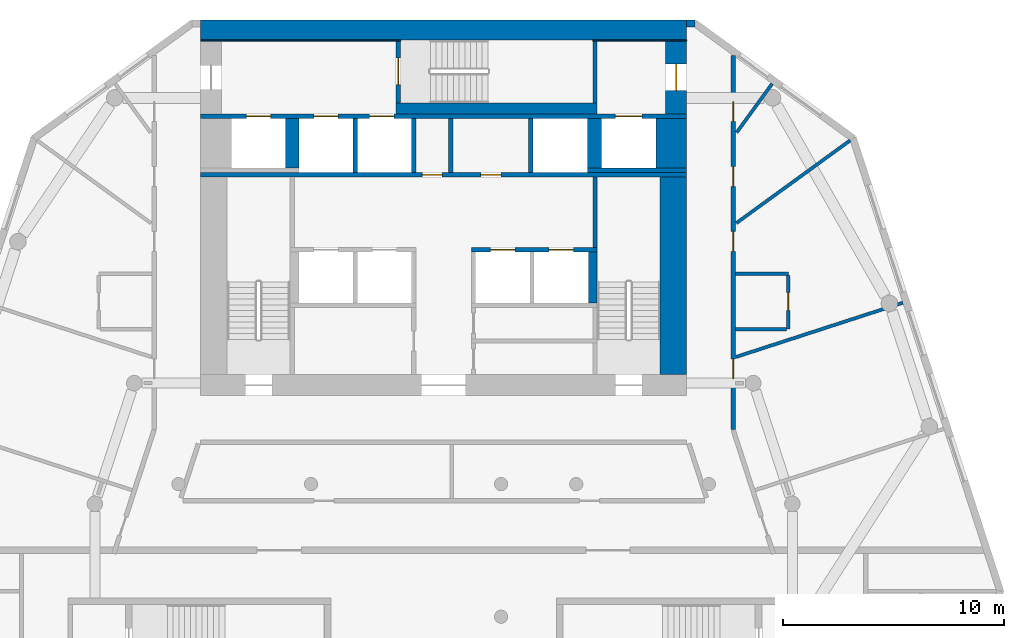
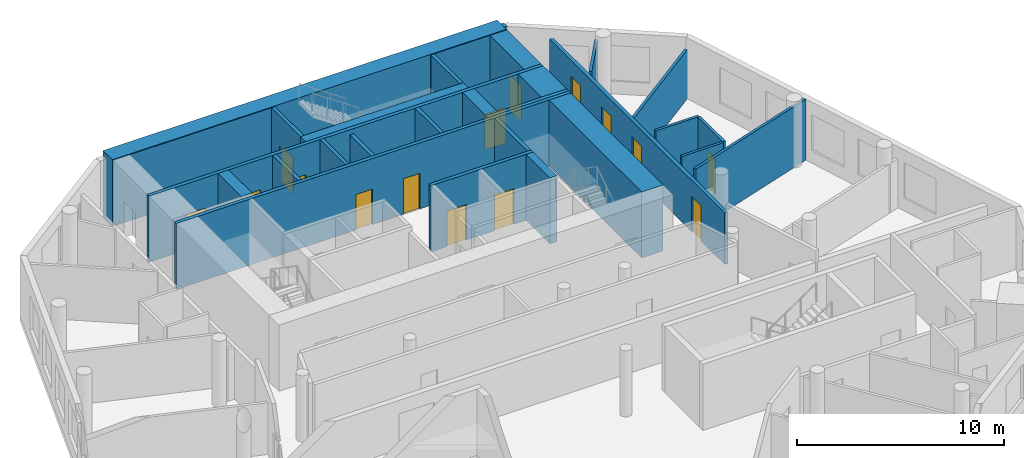
# One storey, part 6 of 9: 29 walls, 15 doors, 15 openings.
"""IFC4 building model written with IfcOpenShell, lengths in metres."""

import ifcopenshell
import ifcopenshell.guid

model = None  # the IFC model being written
_history = None  # IfcOwnerHistory: only IFC2X3 demands one
_inside = {}  # id of a spatial element -> (the spatial element, [elements in it])
_under = {}  # id of a project, library or spatial element -> (it, [spatial elements below it])
_declared = {}  # id of a project -> (the project, [libraries it declares])
_typed = {}  # id of a type object -> (the type object, [elements of that type])
_made_of = {}  # id of a material, layer set ... -> (it, [elements and type objects made of it])


def new_model(schema):
    """Start an empty IFC model of exactly this schema.

    Asked for "IFC4X3", IfcOpenShell would pick the latest addendum, in which some entities
    have other attributes; the version numbers below select the first issue.
    IFC2X3 requires an IfcOwnerHistory on every rooted entity: one is made here for all.
    """
    global model, _history
    if schema == "IFC4X3":
        model = ifcopenshell.file(schema_version=(4, 3, 0, 0))
    else:
        model = ifcopenshell.file(schema=schema)
    _inside.clear()
    _under.clear()
    _declared.clear()
    _typed.clear()
    _made_of.clear()
    _history = None
    if model.schema == "IFC2X3":
        org = make("IfcOrganization", Name="unknown")
        user = make(
            "IfcPersonAndOrganization",
            ThePerson=make("IfcPerson", FamilyName="unknown"),
            TheOrganization=org,
        )
        app = make(
            "IfcApplication",
            ApplicationDeveloper=org,
            Version="unknown",
            ApplicationFullName="unknown",
            ApplicationIdentifier="unknown",
        )
        _history = make(
            "IfcOwnerHistory",
            OwningUser=user,
            OwningApplication=app,
            ChangeAction="ADDED",
            CreationDate=0,
        )
    return model


def make(cls, **values):
    """One entity of the class cls with the attributes given. An attribute that is None is left unset."""
    return model.create_entity(
        cls, **{name: value for name, value in values.items() if value is not None}
    )


def rooted(cls, **values):
    """An entity with a GlobalId (a new one), such as an element, a storey or a relation."""
    return make(cls, GlobalId=ifcopenshell.guid.new(), OwnerHistory=_history, **values)


def si_unit(unit_type, name, prefix=None):
    """IfcSIUnit, for example si_unit("LENGTHUNIT", "METRE", prefix="MILLI")."""
    return make("IfcSIUnit", UnitType=unit_type, Prefix=prefix, Name=name)


def assignment(units):
    """IfcUnitAssignment: the units of a project."""
    return None if units is None else make("IfcUnitAssignment", Units=units)


def point(xyz):
    """IfcCartesianPoint."""
    return None if xyz is None else make("IfcCartesianPoint", Coordinates=xyz)


def direction(xyz):
    """IfcDirection."""
    return None if xyz is None else make("IfcDirection", DirectionRatios=xyz)


def frame(location, z_axis=None, x_axis=None):
    """IfcAxis2Placement3D, a coordinate frame: its origin and axes. An axis left out is left unset."""
    return make(
        "IfcAxis2Placement3D",
        Location=point(location),
        Axis=direction(z_axis),
        RefDirection=direction(x_axis),
    )


def frame_2d(location, x_axis=None):
    """IfcAxis2Placement2D, a coordinate frame in the plane: its origin and x axis."""
    return make(
        "IfcAxis2Placement2D", Location=point(location), RefDirection=direction(x_axis)
    )


def origin():
    """The frame at (0, 0, 0) with its axes left unset."""
    return frame((0.0, 0.0, 0.0))


def place(relative_to, where):
    """IfcLocalPlacement: puts the frame where relative to a parent placement (None: the world)."""
    return make(
        "IfcLocalPlacement", PlacementRelTo=relative_to, RelativePlacement=where
    )


def context(
    kind, dimensions, precision=None, world=None, true_north=None, identifier=None
):
    """IfcGeometricRepresentationContext, for example the 3D "Model" context."""
    return make(
        "IfcGeometricRepresentationContext",
        ContextIdentifier=identifier,
        ContextType=kind,
        CoordinateSpaceDimension=dimensions,
        Precision=precision,
        WorldCoordinateSystem=world,
        TrueNorth=true_north,
    )


def subcontext(parent, identifier, kind, view, scale=None):
    """IfcGeometricRepresentationSubContext, for example "Body" below "Model"."""
    return make(
        "IfcGeometricRepresentationSubContext",
        ContextIdentifier=identifier,
        ContextType=kind,
        ParentContext=parent,
        TargetScale=scale,
        TargetView=view,
    )


def project(units=None, contexts=None):
    """IfcProject with its units and contexts."""
    return rooted(
        "IfcProject",
        Name="project",
        RepresentationContexts=contexts,
        UnitsInContext=assignment(units),
    )


def spatial(cls, under=None, at=None, **own):
    """A site, building, storey or space (cls), placed at a placement, below another one or the project."""
    s = rooted(cls, ObjectPlacement=at, **own)
    if under is not None:
        _under.setdefault(under.id(), (under, []))[1].append(s)
    return s


def profile(cls, at=None, kind="AREA", **sizes):
    """A parametric profile (cls). Its sizes go by their IFC names, for example OverallWidth=200.0."""
    return make(cls, ProfileType=kind, Position=at, **sizes)


def rectangle(**sizes):
    """IfcRectangleProfileDef."""
    return profile("IfcRectangleProfileDef", **sizes)


def extrude(swept, where, along, depth):
    """IfcExtrudedAreaSolid: the profile swept, set in the frame where, extruded along a direction by depth."""
    return make(
        "IfcExtrudedAreaSolid",
        SweptArea=swept,
        Position=where,
        ExtrudedDirection=direction(along),
        Depth=depth,
    )


def shape(context_of_items, identifier, shape_type, items):
    """IfcShapeRepresentation: the items that make up one representation, for example the "Body"."""
    return make(
        "IfcShapeRepresentation",
        ContextOfItems=context_of_items,
        RepresentationIdentifier=identifier,
        RepresentationType=shape_type,
        Items=items,
    )


def material(Name=None, Category=None):
    """IfcMaterial."""
    return make("IfcMaterial", Name=Name, Category=Category)


def layer(
    of_material, thickness, ventilated=None, Name=None, Category=None, Priority=None
):
    """IfcMaterialLayer: one layer of a wall or slab, of a material (None: an air gap)."""
    return make(
        "IfcMaterialLayer",
        Material=of_material,
        LayerThickness=thickness,
        IsVentilated=ventilated,
        Name=Name,
        Category=Category,
        Priority=Priority,
    )


def layer_set(layers, Name=None):
    """IfcMaterialLayerSet."""
    return make("IfcMaterialLayerSet", MaterialLayers=layers, LayerSetName=Name)


def made_of(thing, what):
    """Note that an element or type object is made of a material, layer set ...; save() writes the relation."""
    if what is not None:
        _made_of.setdefault(what.id(), (what, []))[1].append(thing)
    return thing


def type_object(cls, material=None, **own):
    """A type object (cls), such as IfcWallType, which elements share."""
    return made_of(rooted(cls, **own), material)


def element(
    cls,
    number,
    at=None,
    inside=None,
    cuts=None,
    type_object=None,
    material=None,
    context=None,
    identifier="Body",
    shape_type=None,
    held_by="IfcProductDefinitionShape",
    body=None,
    shapes=None,
    **own,
):
    """One element of the class cls, such as IfcWall. Its Tag is "e" and its number.

    at: its placement. inside: the storey or other place that contains it. cuts: it is an
    opening in that element (IfcRelVoidsElement). A single representation is given by context,
    identifier, shape_type and body (its items); several are given by shapes. held_by: the class
    of the entity that holds the representations. save() writes the other relations.
    """
    e = rooted(cls, Tag="e%d" % number, ObjectPlacement=at, **own)
    if body is not None:
        shapes = [shape(context, identifier, shape_type, body)]
    if shapes is not None:
        e.Representation = make(held_by, Representations=shapes)
    if inside is not None:
        _inside.setdefault(inside.id(), (inside, []))[1].append(e)
    if cuts is not None:
        rooted(
            "IfcRelVoidsElement", RelatingBuildingElement=cuts, RelatedOpeningElement=e
        )
    if type_object is not None:
        _typed.setdefault(type_object.id(), (type_object, []))[1].append(e)
    return made_of(e, material)


def fill(opening, filler):
    """IfcRelFillsElement: the door or window that sits in an opening."""
    return rooted(
        "IfcRelFillsElement",
        RelatingOpeningElement=opening,
        RelatedBuildingElement=filler,
    )


def aggregate(whole, parts):
    """IfcRelAggregates: a whole, such as a stair, and the parts it consists of."""
    return rooted("IfcRelAggregates", RelatingObject=whole, RelatedObjects=parts)


def save(model, path):
    """Write the relations noted so far, then the file.

    IfcRelAggregates (storeys below a building ...), IfcRelContainedInSpatialStructure (elements
    in a storey), IfcRelDefinesByType, IfcRelAssociatesMaterial and IfcRelDeclares: one each for
    every whole, place, type object, material and project.
    """
    for whole, parts in _under.values():
        aggregate(whole, parts)
    for where, things in _inside.values():
        rooted(
            "IfcRelContainedInSpatialStructure",
            RelatedElements=things,
            RelatingStructure=where,
        )
    for kind, things in _typed.values():
        rooted("IfcRelDefinesByType", RelatedObjects=things, RelatingType=kind)
    for what, things in _made_of.values():
        rooted("IfcRelAssociatesMaterial", RelatedObjects=things, RelatingMaterial=what)
    for by, libraries in _declared.values():
        rooted("IfcRelDeclares", RelatingContext=by, RelatedDefinitions=libraries)
    model.write(path)


model = new_model("IFC4")

# Units and contexts
model_context = context("Model", 3, precision=1e-05, world=origin(), true_north=direction((0.0, 1.0)))
body_context = subcontext(model_context, "Body", "Model", "MODEL_VIEW")
ifc_project = project(units=[si_unit("LENGTHUNIT", "METRE"), si_unit("AREAUNIT", "SQUARE_METRE"), si_unit("VOLUMEUNIT", "CUBIC_METRE"), si_unit("PLANEANGLEUNIT", "RADIAN"), si_unit("MASSUNIT", "GRAM", prefix="KILO")], contexts=[model_context])

# Site, building, storey
site_placement = place(None, origin())
site = spatial("IfcSite", under=ifc_project, at=site_placement, CompositionType="ELEMENT")
building_placement = place(site_placement, origin())
building = spatial("IfcBuilding", under=site, at=building_placement, Name="White Candle Pilgrim Tower", CompositionType="ELEMENT")
storey_placement = place(building_placement, frame((0.0, 0.0, 164.199951171875)))
storey = spatial("IfcBuildingStorey", under=building, at=storey_placement, Name="L37", CompositionType="ELEMENT", Elevation=164.199951171875)

# Walls
ifc_material_1 = material(Name="Concrete C60/75", Category="concrete")
ifc_layer_1 = layer(ifc_material_1, 1.39990234375)
ifc_layer_set_1 = layer_set([ifc_layer_1], Name="Core wall 1400 mm Concrete C60/75")
wall_type_1 = type_object("IfcWallType", Name="Core wall 1400 mm Concrete C60/75", PredefinedType="SHEAR", material=ifc_layer_set_1)
wall_1_placement = place(storey_placement, frame((80.300048828125, 81.300048828125, 0.0), z_axis=(0.0, 0.0, 1.0), x_axis=(0.0, 1.0, 0.0)))
element("IfcWall", 1, at=wall_1_placement, inside=storey, type_object=wall_type_1, Name="WL-L37-C43", PredefinedType="SHEAR", context=body_context, shape_type="SweptSolid", body=[
    extrude(rectangle(XDim=2.25, YDim=1.39990234375, at=frame_2d((1.125, 0.0))), origin(), (0.0, 0.0, 1.0), 3.900146484375),
])
ifc_layer_2 = layer(ifc_material_1, 0.199951171875)
ifc_layer_set_2 = layer_set([ifc_layer_2], Name="Core wall 200 mm Concrete C60/75")
wall_type_2 = type_object("IfcWallType", Name="Core wall 200 mm Concrete C60/75", PredefinedType="SHEAR", material=ifc_layer_set_2)
wall_2_placement = place(storey_placement, frame((76.5, 81.199951171875, 0.0), z_axis=(0.0, 0.0, 1.0), x_axis=(1.0, 0.0, 0.0)))
element("IfcWall", 2, at=wall_2_placement, inside=storey, type_object=wall_type_2, Name="WL-L37-C39", PredefinedType="SHEAR", context=body_context, shape_type="SweptSolid", body=[
    extrude(rectangle(XDim=4.5, YDim=0.199951171875, at=frame_2d((2.25, 0.0))), origin(), (0.0, 0.0, 1.0), 3.900146484375),
])

# Wall, openings, doors
wall_3_placement = place(storey_placement, frame((59.0, 83.64990234375, 0.0), z_axis=(0.0, 0.0, 1.0), x_axis=(1.0, 0.0, 0.0)))
wall_3 = element("IfcWall", 3, at=wall_3_placement, inside=storey, type_object=wall_type_2, Name="WL-L37-C44", PredefinedType="SHEAR", context=body_context, shape_type="SweptSolid", body=[
    extrude(rectangle(XDim=22.0, YDim=0.199951171875, at=frame_2d((11.0, 0.0))), origin(), (0.0, 0.0, 1.0), 3.900146484375),
])
opening_1_placement = place(wall_3_placement, frame((5.125, 0.0, 0.0)))
opening_1 = element("IfcOpeningElement", 4, at=opening_1_placement, cuts=wall_3, Name="Opening T11-018", PredefinedType="OPENING", context=body_context, shape_type="SweptSolid", body=[
    extrude(rectangle(XDim=1.10009765625, YDim=2.10009765625, at=frame_2d((0.550048828125, 1.050048828125))), frame((0.0, 0.10986328125, 0.0), z_axis=(0.0, -1.0, 0.0), x_axis=(1.0, 0.0, 0.0)), (0.0, 0.0, 1.0), 0.219970703125),
])
opening_2_placement = place(wall_3_placement, frame((7.64990234375, 0.0, 0.0)))
opening_2 = element("IfcOpeningElement", 5, at=opening_2_placement, cuts=wall_3, Name="Opening T11-019", PredefinedType="OPENING", context=body_context, shape_type="SweptSolid", body=[
    extrude(rectangle(XDim=1.10009765625, YDim=2.10009765625, at=frame_2d((0.550048828125, 1.050048828125))), frame((0.0, 0.10986328125, 0.0), z_axis=(0.0, -1.0, 0.0), x_axis=(1.0, 0.0, 0.0)), (0.0, 0.0, 1.0), 0.219970703125),
])
opening_3_placement = place(wall_3_placement, frame((18.77490234375, 0.0, 0.0)))
opening_3 = element("IfcOpeningElement", 6, at=opening_3_placement, cuts=wall_3, Name="Opening T11-020", PredefinedType="OPENING", context=body_context, shape_type="SweptSolid", body=[
    extrude(rectangle(XDim=1.199951171875, YDim=2.10009765625, at=frame_2d((0.60009765625, 1.050048828125))), frame((0.0, 0.10986328125, 0.0), z_axis=(0.0, -1.0, 0.0), x_axis=(1.0, 0.0, 0.0)), (0.0, 0.0, 1.0), 0.219970703125),
])
opening_4_placement = place(wall_3_placement, frame((2.074951171875, 0.0, 0.0)))
opening_4 = element("IfcOpeningElement", 7, at=opening_4_placement, cuts=wall_3, Name="Opening T11-021", PredefinedType="OPENING", context=body_context, shape_type="SweptSolid", body=[
    extrude(rectangle(XDim=1.10009765625, YDim=2.10009765625, at=frame_2d((0.550048828125, 1.050048828125))), frame((0.0, 0.10986328125, 0.0), z_axis=(0.0, -1.0, 0.0), x_axis=(1.0, 0.0, 0.0)), (0.0, 0.0, 1.0), 0.219970703125),
])
ifc_material_2 = material(Name="Stainless steel", Category="steel")
door_type_1 = type_object("IfcDoorType", Name="Lift landing door 1100 x 2100 EI 60", OperationType="DOUBLE_DOOR_SLIDING", PredefinedType="DOOR", material=ifc_material_2)
door_1_placement = place(opening_1_placement, origin())
door_1 = element("IfcDoor", 8, at=door_1_placement, inside=storey, type_object=door_type_1, Name="Door T11-018", OperationType="DOUBLE_DOOR_SLIDING", OverallHeight=2.10009765625, OverallWidth=1.10009765625, PredefinedType="DOOR", context=body_context, shape_type="SweptSolid", body=[
    extrude(rectangle(XDim=1.10009765625, YDim=2.10009765625, at=frame_2d((0.550048828125, 1.050048828125))), frame((0.0, 0.02490234375, 0.0), z_axis=(0.0, -1.0, 0.0), x_axis=(1.0, 0.0, 0.0)), (0.0, 0.0, 1.0), 0.050048828125),
])
fill(opening_1, door_1)
door_2_placement = place(opening_2_placement, origin())
door_2 = element("IfcDoor", 9, at=door_2_placement, inside=storey, type_object=door_type_1, Name="Door T11-019", OperationType="DOUBLE_DOOR_SLIDING", OverallHeight=2.10009765625, OverallWidth=1.10009765625, PredefinedType="DOOR", context=body_context, shape_type="SweptSolid", body=[
    extrude(rectangle(XDim=1.10009765625, YDim=2.10009765625, at=frame_2d((0.550048828125, 1.050048828125))), frame((0.0, 0.02490234375, 0.0), z_axis=(0.0, -1.0, 0.0), x_axis=(1.0, 0.0, 0.0)), (0.0, 0.0, 1.0), 0.050048828125),
])
fill(opening_2, door_2)
door_3_placement = place(opening_4_placement, origin())
door_3 = element("IfcDoor", 10, at=door_3_placement, inside=storey, type_object=door_type_1, Name="Door T11-021", OperationType="DOUBLE_DOOR_SLIDING", OverallHeight=2.10009765625, OverallWidth=1.10009765625, PredefinedType="DOOR", context=body_context, shape_type="SweptSolid", body=[
    extrude(rectangle(XDim=1.10009765625, YDim=2.10009765625, at=frame_2d((0.550048828125, 1.050048828125))), frame((0.0, 0.02490234375, 0.0), z_axis=(0.0, -1.0, 0.0), x_axis=(1.0, 0.0, 0.0)), (0.0, 0.0, 1.0), 0.050048828125),
])
fill(opening_4, door_3)
door_type_2 = type_object("IfcDoorType", Name="Lift landing door 1200 x 2100 E 60", OperationType="DOUBLE_DOOR_SLIDING", PredefinedType="DOOR", material=ifc_material_2)
door_4_placement = place(opening_3_placement, origin())
door_4 = element("IfcDoor", 11, at=door_4_placement, inside=storey, type_object=door_type_2, Name="Door T11-020", OperationType="DOUBLE_DOOR_SLIDING", OverallHeight=2.10009765625, OverallWidth=1.199951171875, PredefinedType="DOOR", context=body_context, shape_type="SweptSolid", body=[
    extrude(rectangle(XDim=1.199951171875, YDim=2.10009765625, at=frame_2d((0.60009765625, 1.050048828125))), frame((0.0, 0.02490234375, 0.0), z_axis=(0.0, -1.0, 0.0), x_axis=(1.0, 0.0, 0.0)), (0.0, 0.0, 1.0), 0.050048828125),
])
fill(opening_3, door_4)

# Wall, opening, door
ifc_layer_3 = layer(ifc_material_1, 0.949951171875)
ifc_layer_set_3 = layer_set([ifc_layer_3], Name="Core wall 950 mm Concrete C60/75")
wall_type_3 = type_object("IfcWallType", Name="Core wall 950 mm Concrete C60/75", PredefinedType="SHEAR", material=ifc_layer_set_3)
wall_4_placement = place(storey_placement, frame((80.52490234375, 83.75, 0.0), z_axis=(0.0, 0.0, 1.0), x_axis=(0.0, 1.0, 0.0)))
wall_4 = element("IfcWall", 12, at=wall_4_placement, inside=storey, type_object=wall_type_3, Name="WL-L37-C47", PredefinedType="SHEAR", context=body_context, shape_type="SweptSolid", body=[
    extrude(rectangle(XDim=3.300048828125, YDim=0.949951171875, at=frame_2d((1.64990234375, 0.0))), origin(), (0.0, 0.0, 1.0), 3.900146484375),
])
opening_5_placement = place(wall_4_placement, frame((1.050048828125, 0.0, 0.0)))
opening_5 = element("IfcOpeningElement", 13, at=opening_5_placement, cuts=wall_4, Name="Opening T11-009", PredefinedType="OPENING", context=body_context, shape_type="SweptSolid", body=[
    extrude(rectangle(XDim=1.199951171875, YDim=2.10009765625, at=frame_2d((0.60009765625, 1.050048828125))), frame((0.0, 0.48486328125, 0.0), z_axis=(0.0, -1.0, 0.0), x_axis=(1.0, 0.0, 0.0)), (0.0, 0.0, 1.0), 0.969970703125),
])
ifc_material_3 = material(Name="Steel door leaf", Category="steel")
door_type_3 = type_object("IfcDoorType", Name="Fire door 1200 x 2100 EI 30", OperationType="NOTDEFINED", PredefinedType="DOOR", material=ifc_material_3)
door_5_placement = place(opening_5_placement, origin())
door_5 = element("IfcDoor", 14, at=door_5_placement, inside=storey, type_object=door_type_3, Name="Door T11-009", OperationType="SINGLE_SWING_LEFT", OverallHeight=2.10009765625, OverallWidth=1.199951171875, PredefinedType="DOOR", context=body_context, shape_type="SweptSolid", body=[
    extrude(rectangle(XDim=1.199951171875, YDim=2.10009765625, at=frame_2d((0.60009765625, 1.050048828125))), frame((0.0, 0.02490234375, 0.0), z_axis=(0.0, -1.0, 0.0), x_axis=(1.0, 0.0, 0.0)), (0.0, 0.0, 1.0), 0.050048828125),
])
fill(opening_5, door_5)

# Wall, openings, doors
ifc_material_4 = material(Name="Gypsum board on steel studs", Category="steel")
ifc_layer_4 = layer(ifc_material_4, 0.199951171875)
ifc_layer_set_4 = layer_set([ifc_layer_4], Name="Corridor wall 200 mm EI 45")
wall_type_4 = type_object("IfcWallType", Name="Corridor wall 200 mm EI 45", PredefinedType="PARTITIONING", material=ifc_layer_set_4)
wall_5_placement = place(storey_placement, frame((83.10009765625, 86.396240234375, 0.0), z_axis=(0.0, 0.0, 1.0), x_axis=(0.0, -1.0, 0.0)))
wall_5 = element("IfcWall", 15, at=wall_5_placement, inside=storey, type_object=wall_type_4, Name="WL-L37-P004", PredefinedType="PARTITIONING", context=body_context, shape_type="SweptSolid", body=[
    extrude(rectangle(XDim=16.92333984375, YDim=0.199951171875, at=frame_2d((8.461669921875, 0.0))), origin(), (0.0, 0.0, 1.0), 3.050048828125),
])
opening_6_placement = place(wall_5_placement, frame((2.08837890625, 0.0, 0.0)))
opening_6 = element("IfcOpeningElement", 16, at=opening_6_placement, cuts=wall_5, Name="Opening T11-129", PredefinedType="OPENING", context=body_context, shape_type="SweptSolid", body=[
    extrude(rectangle(XDim=0.89990234375, YDim=2.10009765625, at=frame_2d((0.449951171875, 1.050048828125))), frame((0.0, 0.10986328125, 0.0), z_axis=(0.0, -1.0, 0.0), x_axis=(1.0, 0.0, 0.0)), (0.0, 0.0, 1.0), 0.219970703125),
])
opening_7_placement = place(wall_5_placement, frame((5.03369140625, 0.0, 0.0)))
opening_7 = element("IfcOpeningElement", 17, at=opening_7_placement, cuts=wall_5, Name="Opening T11-130", PredefinedType="OPENING", context=body_context, shape_type="SweptSolid", body=[
    extrude(rectangle(XDim=0.89990234375, YDim=2.10009765625, at=frame_2d((0.449951171875, 1.050048828125))), frame((0.0, 0.10986328125, 0.0), z_axis=(0.0, -1.0, 0.0), x_axis=(1.0, 0.0, 0.0)), (0.0, 0.0, 1.0), 0.219970703125),
])
opening_8_placement = place(wall_5_placement, frame((7.96044921875, 0.0, 0.0)))
opening_8 = element("IfcOpeningElement", 18, at=opening_8_placement, cuts=wall_5, Name="Opening T11-131", PredefinedType="OPENING", context=body_context, shape_type="SweptSolid", body=[
    extrude(rectangle(XDim=0.89990234375, YDim=2.10009765625, at=frame_2d((0.449951171875, 1.050048828125))), frame((0.0, 0.10986328125, 0.0), z_axis=(0.0, -1.0, 0.0), x_axis=(1.0, 0.0, 0.0)), (0.0, 0.0, 1.0), 0.219970703125),
])
opening_9_placement = place(wall_5_placement, frame((13.72705078125, 0.0, 0.0)))
opening_9 = element("IfcOpeningElement", 19, at=opening_9_placement, cuts=wall_5, Name="Opening T11-132", PredefinedType="OPENING", context=body_context, shape_type="SweptSolid", body=[
    extrude(rectangle(XDim=0.89990234375, YDim=2.10009765625, at=frame_2d((0.449951171875, 1.050048828125))), frame((0.0, 0.10986328125, 0.0), z_axis=(0.0, -1.0, 0.0), x_axis=(1.0, 0.0, 0.0)), (0.0, 0.0, 1.0), 0.219970703125),
])
door_type_4 = type_object("IfcDoorType", Name="Fire door 900 x 2100 EI 30", OperationType="NOTDEFINED", PredefinedType="DOOR", material=ifc_material_3)
door_6_placement = place(opening_6_placement, origin())
door_6 = element("IfcDoor", 20, at=door_6_placement, inside=storey, type_object=door_type_4, Name="Door T11-129", OperationType="SINGLE_SWING_LEFT", OverallHeight=2.10009765625, OverallWidth=0.89990234375, PredefinedType="DOOR", context=body_context, shape_type="SweptSolid", body=[
    extrude(rectangle(XDim=0.89990234375, YDim=2.10009765625, at=frame_2d((0.449951171875, 1.050048828125))), frame((0.0, 0.02490234375, 0.0), z_axis=(0.0, -1.0, 0.0), x_axis=(1.0, 0.0, 0.0)), (0.0, 0.0, 1.0), 0.050048828125),
])
fill(opening_6, door_6)
door_7_placement = place(opening_7_placement, origin())
door_7 = element("IfcDoor", 21, at=door_7_placement, inside=storey, type_object=door_type_4, Name="Door T11-130", OperationType="SINGLE_SWING_RIGHT", OverallHeight=2.10009765625, OverallWidth=0.89990234375, PredefinedType="DOOR", context=body_context, shape_type="SweptSolid", body=[
    extrude(rectangle(XDim=0.89990234375, YDim=2.10009765625, at=frame_2d((0.449951171875, 1.050048828125))), frame((0.0, 0.02490234375, 0.0), z_axis=(0.0, -1.0, 0.0), x_axis=(1.0, 0.0, 0.0)), (0.0, 0.0, 1.0), 0.050048828125),
])
fill(opening_7, door_7)
door_8_placement = place(opening_8_placement, origin())
door_8 = element("IfcDoor", 22, at=door_8_placement, inside=storey, type_object=door_type_4, Name="Door T11-131", OperationType="SINGLE_SWING_LEFT", OverallHeight=2.10009765625, OverallWidth=0.89990234375, PredefinedType="DOOR", context=body_context, shape_type="SweptSolid", body=[
    extrude(rectangle(XDim=0.89990234375, YDim=2.10009765625, at=frame_2d((0.449951171875, 1.050048828125))), frame((0.0, 0.02490234375, 0.0), z_axis=(0.0, -1.0, 0.0), x_axis=(1.0, 0.0, 0.0)), (0.0, 0.0, 1.0), 0.050048828125),
])
fill(opening_8, door_8)
door_9_placement = place(opening_9_placement, origin())
door_9 = element("IfcDoor", 23, at=door_9_placement, inside=storey, type_object=door_type_4, Name="Door T11-132", OperationType="SINGLE_SWING_LEFT", OverallHeight=2.10009765625, OverallWidth=0.89990234375, PredefinedType="DOOR", context=body_context, shape_type="SweptSolid", body=[
    extrude(rectangle(XDim=0.89990234375, YDim=2.10009765625, at=frame_2d((0.449951171875, 1.050048828125))), frame((0.0, 0.02490234375, 0.0), z_axis=(0.0, -1.0, 0.0), x_axis=(1.0, 0.0, 0.0)), (0.0, 0.0, 1.0), 0.050048828125),
])
fill(opening_9, door_9)

# Walls
ifc_material_5 = material(Name="Precast concrete C40/50", Category="concrete")
ifc_layer_5 = layer(ifc_material_5, 0.320068359375)
ifc_layer_set_5 = layer_set([ifc_layer_5], Name="Facade wall EW1 precast concrete C40/50 pier wall with timber-lined reveals")
wall_type_5 = type_object("IfcWallType", Name="Facade wall EW1 precast concrete C40/50 pier wall with timber-lined reveals", PredefinedType="SOLIDWALL", material=ifc_layer_set_5)
wall_6_placement = place(storey_placement, frame((81.385009765625, 87.840087890625, 0.0), z_axis=(0.0, 0.0, 1.0), x_axis=(-1.0, 0.0, 0.0)))
element("IfcWall", 24, at=wall_6_placement, inside=storey, type_object=wall_type_5, Name="Facade wall L37 N", PredefinedType="SOLIDWALL", context=body_context, shape_type="SweptSolid", body=[
    extrude(rectangle(XDim=0.385009765625, YDim=0.320068359375, at=frame_2d((0.1923828125, 0.0))), origin(), (0.0, 0.0, 1.0), 3.60009765625),
])
ifc_layer_6 = layer(ifc_material_4, 0.199951171875)
ifc_layer_set_6 = layer_set([ifc_layer_6], Name="Lobby wall 200 mm EI 60")
wall_type_6 = type_object("IfcWallType", Name="Lobby wall 200 mm EI 60", PredefinedType="PARTITIONING", material=ifc_layer_set_6)
wall_7_placement = place(storey_placement, frame((70.320068359375, 81.10009765625, 0.0), z_axis=(0.0, 0.0, 1.0), x_axis=(0.0, 1.0, 0.0)))
element("IfcWall", 25, at=wall_7_placement, inside=storey, type_object=wall_type_6, Name="WL-L37-C37", PredefinedType="PARTITIONING", context=body_context, shape_type="SweptSolid", body=[
    extrude(rectangle(XDim=2.449951171875, YDim=0.199951171875, at=frame_2d((1.22509765625, 0.0))), origin(), (0.0, 0.0, 1.0), 3.60009765625),
])
ifc_layer_7 = layer(ifc_material_4, 0.14990234375)
ifc_layer_set_7 = layer_set([ifc_layer_7], Name="Partition 150 mm EI 60")
wall_type_7 = type_object("IfcWallType", Name="Partition 150 mm EI 60", PredefinedType="PARTITIONING", material=ifc_layer_set_7)
wall_8_placement = place(storey_placement, frame((88.392822265625, 82.55078125, 0.0), z_axis=(0.0, 0.0, 1.0), x_axis=(-0.809018004504, -0.587783861966, 0.0)))
element("IfcWall", 26, at=wall_8_placement, inside=storey, type_object=wall_type_7, Name="WL-L37-P024", PredefinedType="PARTITIONING", context=body_context, shape_type="SweptSolid", body=[
    extrude(rectangle(XDim=6.364013671875, YDim=0.14990234375, at=frame_2d((3.18212890625, 0.0))), origin(), (0.0, 0.0, 1.0), 2.900146484375),
])
wall_9_placement = place(storey_placement, frame((90.77880859375, 75.207763671875, 0.0), z_axis=(0.0, 0.0, 1.0), x_axis=(-0.951053036923, -0.309027702575, 0.0)))
element("IfcWall", 27, at=wall_9_placement, inside=storey, type_object=wall_type_7, Name="WL-L37-P050", PredefinedType="PARTITIONING", context=body_context, shape_type="SweptSolid", body=[
    extrude(rectangle(XDim=7.944580078125, YDim=0.14990234375, at=frame_2d((3.97216796875, 0.0))), origin(), (0.0, 0.0, 1.0), 3.60009765625),
])
wall_10_placement = place(storey_placement, frame((83.199951171875, 76.5126953125, 0.0), z_axis=(0.0, 0.0, 1.0), x_axis=(1.0, 0.0, 0.0)))
element("IfcWall", 28, at=wall_10_placement, inside=storey, type_object=wall_type_7, Name="WL-L37-P051", PredefinedType="PARTITIONING", context=body_context, shape_type="SweptSolid", body=[
    extrude(rectangle(XDim=2.400146484375, YDim=0.14990234375, at=frame_2d((1.2001953125, 0.0))), origin(), (0.0, 0.0, 1.0), 3.60009765625),
])

# Wall, opening, door
wall_11_placement = place(storey_placement, frame((85.60009765625, 74.0126953125, 0.0), z_axis=(0.0, 0.0, 1.0), x_axis=(0.0, 1.0, 0.0)))
wall_11 = element("IfcWall", 29, at=wall_11_placement, inside=storey, type_object=wall_type_7, Name="WL-L37-P052", PredefinedType="PARTITIONING", context=body_context, shape_type="SweptSolid", body=[
    extrude(rectangle(XDim=2.425048828125, YDim=0.14990234375, at=frame_2d((1.21240234375, 0.0))), origin(), (0.0, 0.0, 1.0), 3.60009765625),
])
opening_10_placement = place(wall_11_placement, frame((0.85009765625, 0.0, 0.0)))
opening_10 = element("IfcOpeningElement", 30, at=opening_10_placement, cuts=wall_11, Name="Opening T11-119", PredefinedType="OPENING", context=body_context, shape_type="SweptSolid", body=[
    extrude(rectangle(XDim=0.800048828125, YDim=2.10009765625, at=frame_2d((0.39990234375, 1.050048828125))), frame((0.0, 0.0849609375, 0.0), z_axis=(0.0, -1.0, 0.0), x_axis=(1.0, 0.0, 0.0)), (0.0, 0.0, 1.0), 0.169921875),
])
door_type_5 = type_object("IfcDoorType", Name="Fire door 800 x 2100 EI 30", OperationType="NOTDEFINED", PredefinedType="DOOR", material=ifc_material_3)
door_10_placement = place(opening_10_placement, frame((0.800048828125, 0.0, 0.0), z_axis=(0.0, 0.0, 1.0), x_axis=(-1.0, 0.0, 0.0)))
door_10 = element("IfcDoor", 31, at=door_10_placement, inside=storey, type_object=door_type_5, Name="Door T11-119", OperationType="SINGLE_SWING_RIGHT", OverallHeight=2.10009765625, OverallWidth=0.800048828125, PredefinedType="DOOR", context=body_context, shape_type="SweptSolid", body=[
    extrude(rectangle(XDim=0.800048828125, YDim=2.10009765625, at=frame_2d((0.39990234375, 1.050048828125))), frame((0.0, 0.02490234375, 0.0), z_axis=(0.0, -1.0, 0.0), x_axis=(1.0, 0.0, 0.0)), (0.0, 0.0, 1.0), 0.050048828125),
])
fill(opening_10, door_10)

# Walls
wall_12_placement = place(storey_placement, frame((83.199951171875, 74.0126953125, 0.0), z_axis=(0.0, 0.0, 1.0), x_axis=(1.0, 0.0, 0.0)))
element("IfcWall", 32, at=wall_12_placement, inside=storey, type_object=wall_type_7, Name="WL-L37-P053", PredefinedType="PARTITIONING", context=body_context, shape_type="SweptSolid", body=[
    extrude(rectangle(XDim=2.324951171875, YDim=0.14990234375, at=frame_2d((1.16259765625, 0.0))), origin(), (0.0, 0.0, 1.0), 3.60009765625),
])
wall_13_placement = place(storey_placement, frame((84.86279296875, 85.115478515625, 0.0), z_axis=(0.0, 0.0, 1.0), x_axis=(-0.587734915063, -0.809053564121, 0.0)))
element("IfcWall", 33, at=wall_13_placement, inside=storey, type_object=wall_type_7, Name="WL-L37-P054", PredefinedType="PARTITIONING", context=body_context, shape_type="SweptSolid", body=[
    extrude(rectangle(XDim=2.725830078125, YDim=0.14990234375, at=frame_2d((1.36279296875, 0.0))), origin(), (0.0, 0.0, 1.0), 3.150146484375),
])
ifc_layer_8 = layer(ifc_material_1, 0.199951171875)
ifc_layer_set_8 = layer_set([ifc_layer_8], Name="Shaft wall 200 mm Concrete C60/75")
wall_type_8 = type_object("IfcWallType", Name="Shaft wall 200 mm Concrete C60/75", PredefinedType="SHEAR", material=ifc_layer_set_8)
for number, where, z_axis, x_axis, name in (
    (34, (66.0, 81.10009765625, 0.0), (0.0, 0.0, 1.0), (0.0, 1.0, 0.0), "WL-L37-C35"),
    (35, (68.64990234375, 81.10009765625, 0.0), (0.0, 0.0, 1.0), (0.0, 1.0, 0.0), "WL-L37-C36"),
    (36, (73.949951171875, 81.10009765625, 0.0), (0.0, 0.0, 1.0), (0.0, 1.0, 0.0), "WL-L37-C38"),
):
    element("IfcWall", number, at=place(storey_placement, frame(where, z_axis=z_axis, x_axis=x_axis)), inside=storey, type_object=wall_type_8, Name=name, PredefinedType="SHEAR", context=body_context, shape_type="SweptSolid", body=[
        extrude(rectangle(XDim=2.449951171875, YDim=0.199951171875, at=frame_2d((1.22509765625, 0.0))), origin(), (0.0, 0.0, 1.0), 3.900146484375),
    ])
ifc_layer_9 = layer(ifc_material_1, 0.60009765625)
ifc_layer_set_9 = layer_set([ifc_layer_9], Name="Shaft wall 600 mm Concrete C60/75")
wall_type_9 = type_object("IfcWallType", Name="Shaft wall 600 mm Concrete C60/75", PredefinedType="SHEAR", material=ifc_layer_set_9)
wall_14_placement = place(storey_placement, frame((63.14990234375, 81.300048828125, 0.0), z_axis=(0.0, 0.0, 1.0), x_axis=(0.0, 1.0, 0.0)))
element("IfcWall", 37, at=wall_14_placement, inside=storey, type_object=wall_type_9, Name="WL-L37-C41", PredefinedType="SHEAR", context=body_context, shape_type="SweptSolid", body=[
    extrude(rectangle(XDim=2.25, YDim=0.60009765625, at=frame_2d((1.125, 0.0))), origin(), (0.0, 0.0, 1.0), 3.900146484375),
])
ifc_layer_10 = layer(ifc_material_1, 0.64990234375)
ifc_layer_set_10 = layer_set([ifc_layer_10], Name="Shaft wall 650 mm Concrete C60/75")
wall_type_10 = type_object("IfcWallType", Name="Shaft wall 650 mm Concrete C60/75", PredefinedType="SHEAR", material=ifc_layer_set_10)
wall_15_placement = place(storey_placement, frame((76.824951171875, 81.300048828125, 0.0), z_axis=(0.0, 0.0, 1.0), x_axis=(0.0, 1.0, 0.0)))
element("IfcWall", 38, at=wall_15_placement, inside=storey, type_object=wall_type_10, Name="WL-L37-C42", PredefinedType="SHEAR", context=body_context, shape_type="SweptSolid", body=[
    extrude(rectangle(XDim=2.25, YDim=0.64990234375, at=frame_2d((1.125, 0.0))), origin(), (0.0, 0.0, 1.0), 3.900146484375),
])
ifc_layer_11 = layer(ifc_material_1, 1.199951171875)
ifc_layer_set_11 = layer_set([ifc_layer_11], Name="Stair shaft wall 1200 mm Concrete C60/75")
wall_type_11 = type_object("IfcWallType", Name="Stair shaft wall 1200 mm Concrete C60/75", PredefinedType="SHEAR", material=ifc_layer_set_11)
wall_16_placement = place(storey_placement, frame((80.39990234375, 71.949951171875, 0.0), z_axis=(0.0, 0.0, 1.0), x_axis=(0.0, 1.0, 0.0)))
element("IfcWall", 39, at=wall_16_placement, inside=storey, type_object=wall_type_11, Name="WL-L37-C17", PredefinedType="SHEAR", context=body_context, shape_type="SweptSolid", body=[
    extrude(rectangle(XDim=8.949951171875, YDim=1.199951171875, at=frame_2d((4.47509765625, 0.0))), origin(), (0.0, 0.0, 1.0), 3.900146484375),
])

# Wall, openings, doors
ifc_layer_12 = layer(ifc_material_1, 0.199951171875)
ifc_layer_set_12 = layer_set([ifc_layer_12], Name="Stair shaft wall 200 mm Concrete C60/75")
wall_type_12 = type_object("IfcWallType", Name="Stair shaft wall 200 mm Concrete C60/75", PredefinedType="SHEAR", material=ifc_layer_set_12)
wall_17_placement = place(storey_placement, frame((71.25, 77.60009765625, 0.0), z_axis=(0.0, 0.0, 1.0), x_axis=(1.0, 0.0, 0.0)))
wall_17 = element("IfcWall", 40, at=wall_17_placement, inside=storey, type_object=wall_type_12, Name="WL-L37-C30", PredefinedType="SHEAR", context=body_context, shape_type="SweptSolid", body=[
    extrude(rectangle(XDim=5.699951171875, YDim=0.199951171875, at=frame_2d((2.85009765625, 0.0))), origin(), (0.0, 0.0, 1.0), 3.900146484375),
])
opening_11_placement = place(wall_17_placement, frame((0.875, 0.0, 0.0)))
opening_11 = element("IfcOpeningElement", 41, at=opening_11_placement, cuts=wall_17, Name="Opening T11-016", PredefinedType="OPENING", context=body_context, shape_type="SweptSolid", body=[
    extrude(rectangle(XDim=1.10009765625, YDim=2.10009765625, at=frame_2d((0.550048828125, 1.050048828125))), frame((0.0, 0.10986328125, 0.0), z_axis=(0.0, -1.0, 0.0), x_axis=(1.0, 0.0, 0.0)), (0.0, 0.0, 1.0), 0.219970703125),
])
opening_12_placement = place(wall_17_placement, frame((3.52490234375, 0.0, 0.0)))
opening_12 = element("IfcOpeningElement", 42, at=opening_12_placement, cuts=wall_17, Name="Opening T11-017", PredefinedType="OPENING", context=body_context, shape_type="SweptSolid", body=[
    extrude(rectangle(XDim=1.10009765625, YDim=2.10009765625, at=frame_2d((0.550048828125, 1.050048828125))), frame((0.0, 0.10986328125, 0.0), z_axis=(0.0, -1.0, 0.0), x_axis=(1.0, 0.0, 0.0)), (0.0, 0.0, 1.0), 0.219970703125),
])
door_type_6 = type_object("IfcDoorType", Name="Lift landing door 1100 x 2100 E 60", OperationType="DOUBLE_DOOR_SLIDING", PredefinedType="DOOR", material=ifc_material_2)
door_11_placement = place(opening_11_placement, origin())
door_11 = element("IfcDoor", 43, at=door_11_placement, inside=storey, type_object=door_type_6, Name="Door T11-016", OperationType="DOUBLE_DOOR_SLIDING", OverallHeight=2.10009765625, OverallWidth=1.10009765625, PredefinedType="DOOR", context=body_context, shape_type="SweptSolid", body=[
    extrude(rectangle(XDim=1.10009765625, YDim=2.10009765625, at=frame_2d((0.550048828125, 1.050048828125))), frame((0.0, 0.02490234375, 0.0), z_axis=(0.0, -1.0, 0.0), x_axis=(1.0, 0.0, 0.0)), (0.0, 0.0, 1.0), 0.050048828125),
])
fill(opening_11, door_11)
door_12_placement = place(opening_12_placement, origin())
door_12 = element("IfcDoor", 44, at=door_12_placement, inside=storey, type_object=door_type_6, Name="Door T11-017", OperationType="DOUBLE_DOOR_SLIDING", OverallHeight=2.10009765625, OverallWidth=1.10009765625, PredefinedType="DOOR", context=body_context, shape_type="SweptSolid", body=[
    extrude(rectangle(XDim=1.10009765625, YDim=2.10009765625, at=frame_2d((0.550048828125, 1.050048828125))), frame((0.0, 0.02490234375, 0.0), z_axis=(0.0, -1.0, 0.0), x_axis=(1.0, 0.0, 0.0)), (0.0, 0.0, 1.0), 0.050048828125),
])
fill(opening_12, door_12)

# Wall
wall_18_placement = place(storey_placement, frame((76.85009765625, 77.699951171875, 0.0), z_axis=(0.0, 0.0, 1.0), x_axis=(0.0, 1.0, 0.0)))
element("IfcWall", 45, at=wall_18_placement, inside=storey, type_object=wall_type_12, Name="WL-L37-C32", PredefinedType="SHEAR", context=body_context, shape_type="SweptSolid", body=[
    extrude(rectangle(XDim=3.199951171875, YDim=0.199951171875, at=frame_2d((1.60009765625, 0.0))), origin(), (0.0, 0.0, 1.0), 3.900146484375),
])

# Wall, openings, doors
wall_19_placement = place(storey_placement, frame((59.0, 81.0, 0.0), z_axis=(0.0, 0.0, 1.0), x_axis=(1.0, 0.0, 0.0)))
wall_19 = element("IfcWall", 46, at=wall_19_placement, inside=storey, type_object=wall_type_12, Name="WL-L37-C33", PredefinedType="SHEAR", context=body_context, shape_type="SweptSolid", body=[
    extrude(rectangle(XDim=22.0, YDim=0.199951171875, at=frame_2d((11.0, 0.0))), origin(), (0.0, 0.0, 1.0), 3.900146484375),
])
opening_13_placement = place(wall_19_placement, frame((10.034912109375, 0.0, 0.0)))
opening_13 = element("IfcOpeningElement", 47, at=opening_13_placement, cuts=wall_19, Name="Opening T11-022", PredefinedType="OPENING", context=body_context, shape_type="SweptSolid", body=[
    extrude(rectangle(XDim=0.89990234375, YDim=2.10009765625, at=frame_2d((0.449951171875, 1.050048828125))), frame((0.0, 0.10986328125, 0.0), z_axis=(0.0, -1.0, 0.0), x_axis=(1.0, 0.0, 0.0)), (0.0, 0.0, 1.0), 0.219970703125),
])
opening_14_placement = place(wall_19_placement, frame((12.68505859375, 0.0, 0.0)))
opening_14 = element("IfcOpeningElement", 48, at=opening_14_placement, cuts=wall_19, Name="Opening T11-023", PredefinedType="OPENING", context=body_context, shape_type="SweptSolid", body=[
    extrude(rectangle(XDim=0.89990234375, YDim=2.10009765625, at=frame_2d((0.449951171875, 1.050048828125))), frame((0.0, 0.10986328125, 0.0), z_axis=(0.0, -1.0, 0.0), x_axis=(1.0, 0.0, 0.0)), (0.0, 0.0, 1.0), 0.219970703125),
])
door_13_placement = place(opening_13_placement, origin())
door_13 = element("IfcDoor", 49, at=door_13_placement, inside=storey, type_object=door_type_4, Name="Door T11-022", OperationType="SINGLE_SWING_RIGHT", OverallHeight=2.10009765625, OverallWidth=0.89990234375, PredefinedType="DOOR", context=body_context, shape_type="SweptSolid", body=[
    extrude(rectangle(XDim=0.89990234375, YDim=2.10009765625, at=frame_2d((0.449951171875, 1.050048828125))), frame((0.0, 0.02490234375, 0.0), z_axis=(0.0, -1.0, 0.0), x_axis=(1.0, 0.0, 0.0)), (0.0, 0.0, 1.0), 0.050048828125),
])
fill(opening_13, door_13)
door_14_placement = place(opening_14_placement, origin())
door_14 = element("IfcDoor", 50, at=door_14_placement, inside=storey, type_object=door_type_4, Name="Door T11-023", OperationType="SINGLE_SWING_LEFT", OverallHeight=2.10009765625, OverallWidth=0.89990234375, PredefinedType="DOOR", context=body_context, shape_type="SweptSolid", body=[
    extrude(rectangle(XDim=0.89990234375, YDim=2.10009765625, at=frame_2d((0.449951171875, 1.050048828125))), frame((0.0, 0.02490234375, 0.0), z_axis=(0.0, -1.0, 0.0), x_axis=(1.0, 0.0, 0.0)), (0.0, 0.0, 1.0), 0.050048828125),
])
fill(opening_14, door_14)

# Wall, opening, door
wall_20_placement = place(storey_placement, frame((67.949951171875, 84.25, 0.0), z_axis=(0.0, 0.0, 1.0), x_axis=(0.0, 1.0, 0.0)))
wall_20 = element("IfcWall", 51, at=wall_20_placement, inside=storey, type_object=wall_type_12, Name="WL-L37-C48", PredefinedType="SHEAR", context=body_context, shape_type="SweptSolid", body=[
    extrude(rectangle(XDim=2.800048828125, YDim=0.199951171875, at=frame_2d((1.39990234375, 0.0))), origin(), (0.0, 0.0, 1.0), 3.900146484375),
])
opening_15_placement = place(wall_20_placement, frame((0.824951171875, 0.0, 0.0)))
opening_15 = element("IfcOpeningElement", 52, at=opening_15_placement, cuts=wall_20, Name="Opening T11-003", PredefinedType="OPENING", context=body_context, shape_type="SweptSolid", body=[
    extrude(rectangle(XDim=1.199951171875, YDim=2.10009765625, at=frame_2d((0.60009765625, 1.050048828125))), frame((0.0, 0.10986328125, 0.0), z_axis=(0.0, -1.0, 0.0), x_axis=(1.0, 0.0, 0.0)), (0.0, 0.0, 1.0), 0.219970703125),
])
door_type_7 = type_object("IfcDoorType", Name="Fire door 1200 x 2100 EI 60", OperationType="NOTDEFINED", PredefinedType="DOOR", material=ifc_material_3)
door_15_placement = place(opening_15_placement, frame((1.199951171875, 0.0, 0.0), z_axis=(0.0, 0.0, 1.0), x_axis=(-1.0, 0.0, 0.0)))
door_15 = element("IfcDoor", 53, at=door_15_placement, inside=storey, type_object=door_type_7, Name="Door T11-003", OperationType="SINGLE_SWING_RIGHT", OverallHeight=2.10009765625, OverallWidth=1.199951171875, PredefinedType="DOOR", context=body_context, shape_type="SweptSolid", body=[
    extrude(rectangle(XDim=1.199951171875, YDim=2.10009765625, at=frame_2d((0.60009765625, 1.050048828125))), frame((0.0, 0.02490234375, 0.0), z_axis=(0.0, -1.0, 0.0), x_axis=(1.0, 0.0, 0.0)), (0.0, 0.0, 1.0), 0.050048828125),
])
fill(opening_15, door_15)

# Walls
wall_21_placement = place(storey_placement, frame((76.85009765625, 84.25, 0.0), z_axis=(0.0, 0.0, 1.0), x_axis=(0.0, 1.0, 0.0)))
element("IfcWall", 54, at=wall_21_placement, inside=storey, type_object=wall_type_12, Name="WL-L37-C49", PredefinedType="SHEAR", context=body_context, shape_type="SweptSolid", body=[
    extrude(rectangle(XDim=2.800048828125, YDim=0.199951171875, at=frame_2d((1.39990234375, 0.0))), origin(), (0.0, 0.0, 1.0), 3.900146484375),
])
ifc_layer_13 = layer(ifc_material_1, 0.39990234375)
ifc_layer_set_13 = layer_set([ifc_layer_13], Name="Stair shaft wall 400 mm Concrete C60/75")
wall_type_13 = type_object("IfcWallType", Name="Stair shaft wall 400 mm Concrete C60/75", PredefinedType="SHEAR", material=ifc_layer_set_13)
wall_22_placement = place(storey_placement, frame((76.75, 75.199951171875, 0.0), z_axis=(0.0, 0.0, 1.0), x_axis=(0.0, 1.0, 0.0)))
element("IfcWall", 55, at=wall_22_placement, inside=storey, type_object=wall_type_13, Name="WL-L37-C28", PredefinedType="SHEAR", context=body_context, shape_type="SweptSolid", body=[
    extrude(rectangle(XDim=2.300048828125, YDim=0.39990234375, at=frame_2d((1.14990234375, 0.0))), origin(), (0.0, 0.0, 1.0), 3.900146484375),
])
ifc_layer_14 = layer(ifc_material_1, 0.050048828125)
ifc_layer_set_14 = layer_set([ifc_layer_14], Name="Stair shaft wall 50 mm Concrete C60/75")
wall_type_14 = type_object("IfcWallType", Name="Stair shaft wall 50 mm Concrete C60/75", PredefinedType="SHEAR", material=ifc_layer_set_14)
wall_23_placement = place(storey_placement, frame((59.0, 87.074951171875, 0.0), z_axis=(0.0, 0.0, 1.0), x_axis=(1.0, 0.0, 0.0)))
element("IfcWall", 56, at=wall_23_placement, inside=storey, type_object=wall_type_14, Name="WL-L37-C50", PredefinedType="SHEAR", context=body_context, shape_type="SweptSolid", body=[
    extrude(rectangle(XDim=9.050048828125, YDim=0.050048828125, at=frame_2d((4.52490234375, 0.0))), origin(), (0.0, 0.0, 1.0), 3.900146484375),
])
wall_24_placement = place(storey_placement, frame((76.75, 87.074951171875, 0.0), z_axis=(0.0, 0.0, 1.0), x_axis=(1.0, 0.0, 0.0)))
element("IfcWall", 57, at=wall_24_placement, inside=storey, type_object=wall_type_14, Name="WL-L37-C51", PredefinedType="SHEAR", context=body_context, shape_type="SweptSolid", body=[
    extrude(rectangle(XDim=4.25, YDim=0.050048828125, at=frame_2d((2.125, 0.0))), origin(), (0.0, 0.0, 1.0), 3.900146484375),
])
ifc_layer_15 = layer(ifc_material_1, 0.5)
ifc_layer_set_15 = layer_set([ifc_layer_15], Name="Stair shaft wall 500 mm Concrete C60/75")
wall_type_15 = type_object("IfcWallType", Name="Stair shaft wall 500 mm Concrete C60/75", PredefinedType="SHEAR", material=ifc_layer_set_15)
wall_25_placement = place(storey_placement, frame((67.85009765625, 84.0, 0.0), z_axis=(0.0, 0.0, 1.0), x_axis=(1.0, 0.0, 0.0)))
element("IfcWall", 58, at=wall_25_placement, inside=storey, type_object=wall_type_15, Name="WL-L37-C46", PredefinedType="SHEAR", context=body_context, shape_type="SweptSolid", body=[
    extrude(rectangle(XDim=9.099853515625, YDim=0.5, at=frame_2d((4.5498046875, 0.0))), origin(), (0.0, 0.0, 1.0), 3.900146484375),
])
ifc_layer_16 = layer(ifc_material_1, 0.89990234375)
ifc_layer_set_16 = layer_set([ifc_layer_16], Name="Stair shaft wall 900 mm Concrete C60/75")
wall_type_16 = type_object("IfcWallType", Name="Stair shaft wall 900 mm Concrete C60/75", PredefinedType="SHEAR", material=ifc_layer_set_16)
wall_26_placement = place(storey_placement, frame((59.0, 87.550048828125, 0.0), z_axis=(0.0, 0.0, 1.0), x_axis=(1.0, 0.0, 0.0)))
element("IfcWall", 59, at=wall_26_placement, inside=storey, type_object=wall_type_16, Name="WL-L37-C52", PredefinedType="SHEAR", context=body_context, shape_type="SweptSolid", body=[
    extrude(rectangle(XDim=22.0, YDim=0.89990234375, at=frame_2d((11.0, 0.0))), origin(), (0.0, 0.0, 1.0), 3.900146484375),
])

save(model, "model.ifc")
